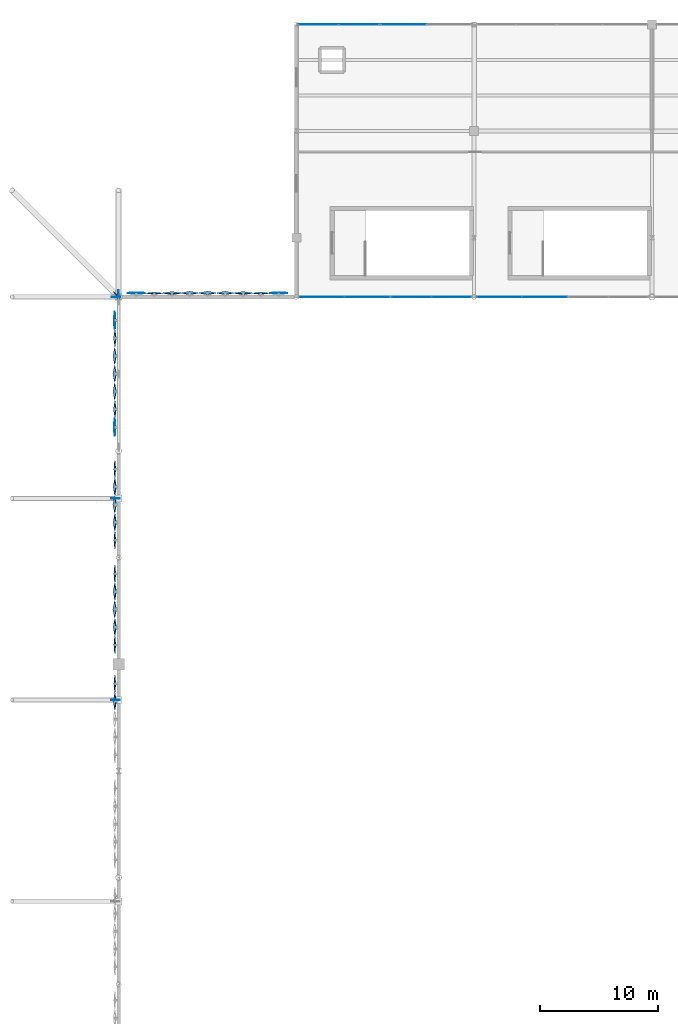
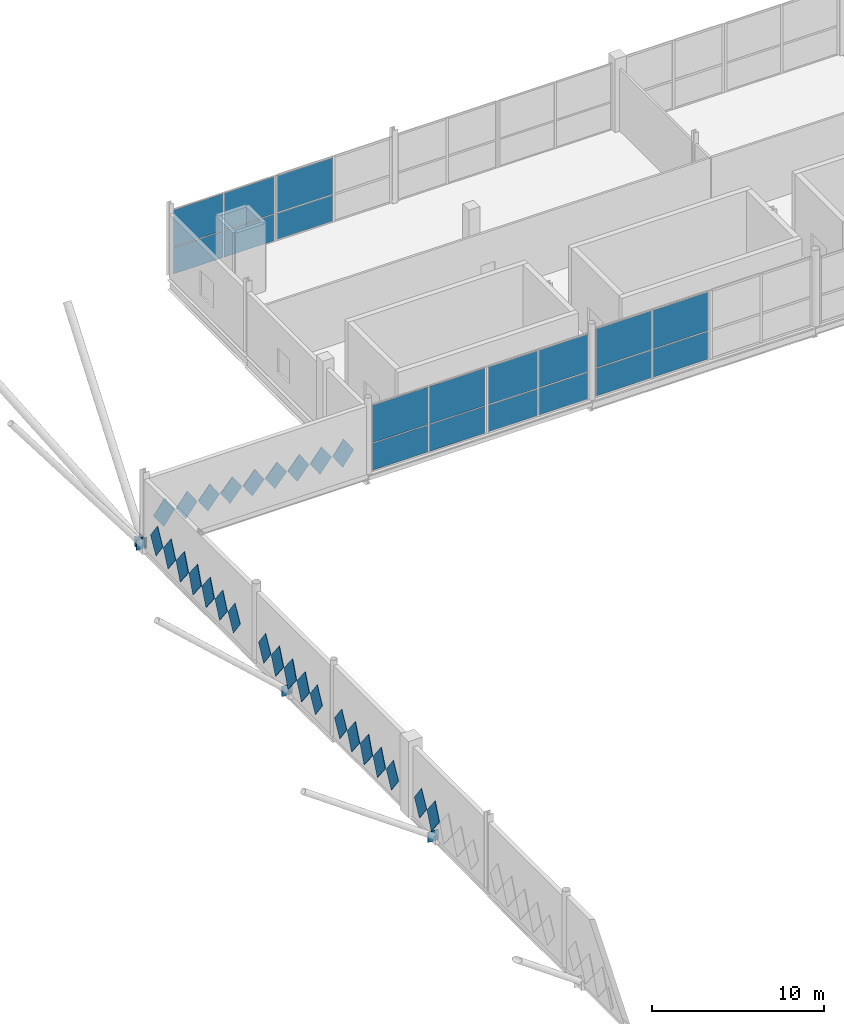
# One storey, part 73 of 119: 51 plates, 5 elements without a shape of their own.
"""IFC4 building model written with IfcOpenShell, lengths in metres."""

from ifc_helpers import new_model, si_unit, direction, frame, origin, origin_2d, place, context, subcontext, project, spatial, polyline, rectangle, outline, extrude, material, layer, layer_set, type_object, element, aggregate, save


model = new_model("IFC4")

# Units and contexts
model_context = context("Model", 3, precision=1e-05, world=origin(), true_north=direction((0.0, 1.0)))
body_context = subcontext(model_context, "Body", "Model", "MODEL_VIEW")
ifc_project = project(units=[si_unit("LENGTHUNIT", "METRE"), si_unit("AREAUNIT", "SQUARE_METRE"), si_unit("VOLUMEUNIT", "CUBIC_METRE"), si_unit("PLANEANGLEUNIT", "RADIAN"), si_unit("MASSUNIT", "GRAM", prefix="KILO")], contexts=[model_context])

# Site, building, storey
site_placement = place(None, origin())
site = spatial("IfcSite", under=ifc_project, at=site_placement, CompositionType="ELEMENT")
building_placement = place(site_placement, origin())
building = spatial("IfcBuilding", under=site, at=building_placement, Name="Qamarlyn Nura Convention Centre", CompositionType="ELEMENT")
storey_placement = place(building_placement, frame((0.0, 0.0, 5.39990234375)))
storey = spatial("IfcBuildingStorey", under=building, at=storey_placement, Name="L01", CompositionType="ELEMENT", Elevation=5.39990234375)

# Curtain wall, plates
ifc_material_1 = material(Name="Double-silver low-E insulated glass", Category="glass")
ifc_layer_1 = layer(ifc_material_1, 0.179931640625, Name="CW-UNIT-33")
ifc_layer_set_1 = layer_set([ifc_layer_1], Name="Double-silver low-E insulated glass")
curtain_wall_type_1 = type_object("IfcCurtainWallType", Name="CW-UNIT-33", PredefinedType="NOTDEFINED", material=ifc_layer_set_1)
curtain_wall_1_placement = place(storey_placement, origin())
curtain_wall_1 = element("IfcCurtainWall", 1, at=curtain_wall_1_placement, inside=storey, type_object=curtain_wall_type_1, Name="L01 unitised curtain wall NS-INT-1-1A", PredefinedType="NOTDEFINED")
ifc_layer_2 = layer(ifc_material_1, 0.028076171875, Name="CWP-VIS-28")
ifc_layer_set_2 = layer_set([ifc_layer_2], Name="Double-silver low-E insulated glass")
plate_type_1 = type_object("IfcPlateType", Name="CWP-VIS-28", PredefinedType="CURTAIN_PANEL", material=ifc_layer_set_2)
plate_1_placement = place(storey_placement, frame((28.07568359375, 103.0, 0.06494140625), z_axis=(0.0, 0.0, 1.0), x_axis=(-1.0, 0.0, 0.0)))
plate_1 = element("IfcPlate", 2, at=plate_1_placement, type_object=plate_type_1, Name="CW33 panel 1.1", PredefinedType="CURTAIN_PANEL", context=body_context, shape_type="SweptSolid", body=[
    extrude(rectangle(XDim=3.31201171875, YDim=0.028076171875, at=origin_2d()), origin(), (0.0, 0.0, 1.0), 1.886474609375),
])
plate_2_placement = place(storey_placement, frame((28.07568359375, 103.0, 2.0166015625), z_axis=(0.0, 0.0, 1.0), x_axis=(-1.0, 0.0, 0.0)))
plate_2 = element("IfcPlate", 3, at=plate_2_placement, type_object=plate_type_1, Name="CW33 panel 1.2", PredefinedType="CURTAIN_PANEL", context=body_context, shape_type="SweptSolid", body=[
    extrude(rectangle(XDim=3.31201171875, YDim=0.028076171875, at=origin_2d()), origin(), (0.0, 0.0, 1.0), 2.642578125),
])
plate_3_placement = place(storey_placement, frame((24.69873046875, 103.0, 0.06494140625), z_axis=(0.0, 0.0, 1.0), x_axis=(-1.0, 0.0, 0.0)))
plate_3 = element("IfcPlate", 4, at=plate_3_placement, type_object=plate_type_1, Name="CW33 panel 2.1", PredefinedType="CURTAIN_PANEL", context=body_context, shape_type="SweptSolid", body=[
    extrude(rectangle(XDim=3.31201171875, YDim=0.028076171875, at=origin_2d()), origin(), (0.0, 0.0, 1.0), 1.886474609375),
])
plate_4_placement = place(storey_placement, frame((24.69873046875, 103.0, 2.0166015625), z_axis=(0.0, 0.0, 1.0), x_axis=(-1.0, 0.0, 0.0)))
plate_4 = element("IfcPlate", 5, at=plate_4_placement, type_object=plate_type_1, Name="CW33 panel 2.2", PredefinedType="CURTAIN_PANEL", context=body_context, shape_type="SweptSolid", body=[
    extrude(rectangle(XDim=3.31201171875, YDim=0.028076171875, at=origin_2d()), origin(), (0.0, 0.0, 1.0), 2.642578125),
])
aggregate(curtain_wall_1, [plate_1, plate_2, plate_3, plate_4])

ifc_layer_3 = layer(ifc_material_1, 0.179931640625, Name="CW-UNIT-34")
ifc_layer_set_3 = layer_set([ifc_layer_3], Name="Double-silver low-E insulated glass")
curtain_wall_type_2 = type_object("IfcCurtainWallType", Name="CW-UNIT-34", PredefinedType="NOTDEFINED", material=ifc_layer_set_3)
curtain_wall_2_placement = place(storey_placement, origin())
curtain_wall_2 = element("IfcCurtainWall", 6, at=curtain_wall_2_placement, inside=storey, type_object=curtain_wall_type_2, Name="L01 unitised curtain wall NS-INT-1-1B", PredefinedType="NOTDEFINED")
plate_5_placement = place(storey_placement, frame((20.959228515625, 103.0, 0.06005859375), z_axis=(0.0, 0.0, 1.0), x_axis=(-1.0, 0.0, 0.0)))
plate_5 = element("IfcPlate", 7, at=plate_5_placement, type_object=plate_type_1, Name="CW34 panel 1.1", PredefinedType="CURTAIN_PANEL", context=body_context, shape_type="SweptSolid", body=[
    extrude(rectangle(XDim=3.75732421875, YDim=0.028076171875, at=origin_2d()), origin(), (0.0, 0.0, 1.0), 1.89404296875),
])
plate_6_placement = place(storey_placement, frame((20.959228515625, 103.0, 2.01416015625), z_axis=(0.0, 0.0, 1.0), x_axis=(-1.0, 0.0, 0.0)))
plate_6 = element("IfcPlate", 8, at=plate_6_placement, type_object=plate_type_1, Name="CW34 panel 1.2", PredefinedType="CURTAIN_PANEL", context=body_context, shape_type="SweptSolid", body=[
    extrude(rectangle(XDim=3.75732421875, YDim=0.028076171875, at=origin_2d()), origin(), (0.0, 0.0, 1.0), 2.64990234375),
])
plate_7_placement = place(storey_placement, frame((17.141845703125, 103.0, 0.06005859375), z_axis=(0.0, 0.0, 1.0), x_axis=(-1.0, 0.0, 0.0)))
plate_7 = element("IfcPlate", 9, at=plate_7_placement, type_object=plate_type_1, Name="CW34 panel 2.1", PredefinedType="CURTAIN_PANEL", context=body_context, shape_type="SweptSolid", body=[
    extrude(rectangle(XDim=3.75732421875, YDim=0.028076171875, at=origin_2d()), origin(), (0.0, 0.0, 1.0), 1.89404296875),
])
plate_8_placement = place(storey_placement, frame((17.141845703125, 103.0, 2.01416015625), z_axis=(0.0, 0.0, 1.0), x_axis=(-1.0, 0.0, 0.0)))
plate_8 = element("IfcPlate", 10, at=plate_8_placement, type_object=plate_type_1, Name="CW34 panel 2.2", PredefinedType="CURTAIN_PANEL", context=body_context, shape_type="SweptSolid", body=[
    extrude(rectangle(XDim=3.75732421875, YDim=0.028076171875, at=origin_2d()), origin(), (0.0, 0.0, 1.0), 2.64990234375),
])
aggregate(curtain_wall_2, [plate_5, plate_6, plate_7, plate_8])

ifc_layer_4 = layer(ifc_material_1, 0.179931640625, Name="CW-UNIT-43")
ifc_layer_set_4 = layer_set([ifc_layer_4], Name="Double-silver low-E insulated glass")
curtain_wall_type_3 = type_object("IfcCurtainWallType", Name="CW-UNIT-43", PredefinedType="NOTDEFINED", material=ifc_layer_set_4)
curtain_wall_3_placement = place(storey_placement, origin())
curtain_wall_3 = element("IfcCurtainWall", 11, at=curtain_wall_3_placement, inside=storey, type_object=curtain_wall_type_3, Name="L01 unitised curtain wall NS-N1-1A", PredefinedType="NOTDEFINED")
plate_9_placement = place(storey_placement, frame((16.880126953125, 126.0, 0.06005859375), z_axis=(0.0, 0.0, 1.0), x_axis=(1.0, 0.0, 0.0)))
plate_9 = element("IfcPlate", 12, at=plate_9_placement, type_object=plate_type_1, Name="CW43 panel 1.1", PredefinedType="CURTAIN_PANEL", context=body_context, shape_type="SweptSolid", body=[
    extrude(rectangle(XDim=3.335205078125, YDim=0.028076171875, at=origin_2d()), origin(), (0.0, 0.0, 1.0), 1.863037109375),
])
plate_10_placement = place(storey_placement, frame((16.880126953125, 126.0, 1.983154296875), z_axis=(0.0, 0.0, 1.0), x_axis=(1.0, 0.0, 0.0)))
plate_10 = element("IfcPlate", 13, at=plate_10_placement, type_object=plate_type_1, Name="CW43 panel 1.2", PredefinedType="CURTAIN_PANEL", context=body_context, shape_type="SweptSolid", body=[
    extrude(rectangle(XDim=3.335205078125, YDim=0.028076171875, at=origin_2d()), origin(), (0.0, 0.0, 1.0), 2.60791015625),
])
plate_11_placement = place(storey_placement, frame((20.275390625, 126.0, 0.06005859375), z_axis=(0.0, 0.0, 1.0), x_axis=(1.0, 0.0, 0.0)))
plate_11 = element("IfcPlate", 14, at=plate_11_placement, type_object=plate_type_1, Name="CW43 panel 2.1", PredefinedType="CURTAIN_PANEL", context=body_context, shape_type="SweptSolid", body=[
    extrude(rectangle(XDim=3.335205078125, YDim=0.028076171875, at=origin_2d()), origin(), (0.0, 0.0, 1.0), 1.863037109375),
])
plate_12_placement = place(storey_placement, frame((20.275390625, 126.0, 1.983154296875), z_axis=(0.0, 0.0, 1.0), x_axis=(1.0, 0.0, 0.0)))
plate_12 = element("IfcPlate", 15, at=plate_12_placement, type_object=plate_type_1, Name="CW43 panel 2.2", PredefinedType="CURTAIN_PANEL", context=body_context, shape_type="SweptSolid", body=[
    extrude(rectangle(XDim=3.335205078125, YDim=0.028076171875, at=origin_2d()), origin(), (0.0, 0.0, 1.0), 2.60791015625),
])
aggregate(curtain_wall_3, [plate_9, plate_10, plate_11, plate_12])

ifc_layer_5 = layer(ifc_material_1, 0.179931640625, Name="CW-UNIT-36")
ifc_layer_set_5 = layer_set([ifc_layer_5], Name="Double-silver low-E insulated glass")
curtain_wall_type_4 = type_object("IfcCurtainWallType", Name="CW-UNIT-36", PredefinedType="NOTDEFINED", material=ifc_layer_set_5)
curtain_wall_4_placement = place(storey_placement, origin())
curtain_wall_4 = element("IfcCurtainWall", 16, at=curtain_wall_4_placement, inside=storey, type_object=curtain_wall_type_4, Name="L01 unitised curtain wall NS-INT-2-1B", PredefinedType="NOTDEFINED")
ifc_layer_6 = layer(ifc_material_1, 0.031982421875, Name="CWP-VIS-32")
ifc_layer_set_6 = layer_set([ifc_layer_6], Name="Double-silver low-E insulated glass")
plate_type_2 = type_object("IfcPlateType", Name="CWP-VIS-32", PredefinedType="CURTAIN_PANEL", material=ifc_layer_set_6)
plate_13_placement = place(storey_placement, frame((35.937744140625, 103.0, 0.065185546875), z_axis=(0.0, 0.0, 1.0), x_axis=(-1.0, 0.0, 0.0)))
plate_13 = element("IfcPlate", 17, at=plate_13_placement, type_object=plate_type_2, Name="CW36 panel 1.1", PredefinedType="CURTAIN_PANEL", context=body_context, shape_type="SweptSolid", body=[
    extrude(rectangle(XDim=3.736328125, YDim=0.031982421875, at=origin_2d()), origin(), (0.0, 0.0, 1.0), 1.95654296875),
])
plate_14_placement = place(storey_placement, frame((35.937744140625, 103.0, 2.08642578125), z_axis=(0.0, 0.0, 1.0), x_axis=(-1.0, 0.0, 0.0)))
plate_14 = element("IfcPlate", 18, at=plate_14_placement, type_object=plate_type_2, Name="CW36 panel 1.2", PredefinedType="CURTAIN_PANEL", context=body_context, shape_type="SweptSolid", body=[
    extrude(rectangle(XDim=3.736328125, YDim=0.031982421875, at=origin_2d()), origin(), (0.0, 0.0, 1.0), 2.738525390625),
])
plate_15_placement = place(storey_placement, frame((32.136474609375, 103.0, 0.065185546875), z_axis=(0.0, 0.0, 1.0), x_axis=(-1.0, 0.0, 0.0)))
plate_15 = element("IfcPlate", 19, at=plate_15_placement, type_object=plate_type_2, Name="CW36 panel 2.1", PredefinedType="CURTAIN_PANEL", context=body_context, shape_type="SweptSolid", body=[
    extrude(rectangle(XDim=3.736328125, YDim=0.031982421875, at=origin_2d()), origin(), (0.0, 0.0, 1.0), 1.95654296875),
])
plate_16_placement = place(storey_placement, frame((32.136474609375, 103.0, 2.08642578125), z_axis=(0.0, 0.0, 1.0), x_axis=(-1.0, 0.0, 0.0)))
plate_16 = element("IfcPlate", 20, at=plate_16_placement, type_object=plate_type_2, Name="CW36 panel 2.2", PredefinedType="CURTAIN_PANEL", context=body_context, shape_type="SweptSolid", body=[
    extrude(rectangle(XDim=3.736328125, YDim=0.031982421875, at=origin_2d()), origin(), (0.0, 0.0, 1.0), 2.738525390625),
])
aggregate(curtain_wall_4, [plate_13, plate_14, plate_15, plate_16])

ifc_layer_7 = layer(ifc_material_1, 0.179931640625, Name="CW-UNIT-44")
ifc_layer_set_7 = layer_set([ifc_layer_7], Name="Double-silver low-E insulated glass")
curtain_wall_type_5 = type_object("IfcCurtainWallType", Name="CW-UNIT-44", PredefinedType="NOTDEFINED", material=ifc_layer_set_7)
curtain_wall_5_placement = place(storey_placement, origin())
curtain_wall_5 = element("IfcCurtainWall", 21, at=curtain_wall_5_placement, inside=storey, type_object=curtain_wall_type_5, Name="L01 unitised curtain wall NS-N1-1B", PredefinedType="NOTDEFINED")
plate_17_placement = place(storey_placement, frame((24.032958984375, 126.0, 0.0703125), z_axis=(0.0, 0.0, 1.0), x_axis=(1.0, 0.0, 0.0)))
plate_17 = element("IfcPlate", 22, at=plate_17_placement, type_object=plate_type_2, Name="CW44 panel 1.1", PredefinedType="CURTAIN_PANEL", context=body_context, shape_type="SweptSolid", body=[
    extrude(rectangle(XDim=3.760009765625, YDim=0.031982421875, at=origin_2d()), origin(), (0.0, 0.0, 1.0), 1.847900390625),
])
plate_18_placement = place(storey_placement, frame((24.032958984375, 126.0, 1.98828125), z_axis=(0.0, 0.0, 1.0), x_axis=(1.0, 0.0, 0.0)))
plate_18 = element("IfcPlate", 23, at=plate_18_placement, type_object=plate_type_2, Name="CW44 panel 1.2", PredefinedType="CURTAIN_PANEL", context=body_context, shape_type="SweptSolid", body=[
    extrude(rectangle(XDim=3.760009765625, YDim=0.031982421875, at=origin_2d()), origin(), (0.0, 0.0, 1.0), 2.593017578125),
])
aggregate(curtain_wall_5, [plate_17, plate_18])

# Plates
ifc_material_2 = material(Name="White high-albedo PVDF aluminium composite sheet", Category="aluminium")
ifc_layer_8 = layer(ifc_material_2, 0.02001953125, Name="FP-DIAM-02")
ifc_layer_set_8 = layer_set([ifc_layer_8], Name="White high-albedo PVDF aluminium composite sheet")
plate_type_3 = type_object("IfcPlateType", Name="FP-DIAM-02", PredefinedType="SHEET", material=ifc_layer_set_8)
for number, where, z_axis, x_axis, name in (
    (24, (-0.31005859375, 92.020751953125, 1.7001953125), (-0.998638653892, 0.0, 0.052161661713), (0.0, -1.0, 0.0), "L01 pivoted white diamond facade tile 0089"),
    (25, (-0.31005859375, 101.020751953125, 1.7001953125), (-0.998638653892, 0.0, 0.052161661713), (0.0, -1.0, 0.0), "L01 pivoted white diamond facade tile 0095"),
    (26, (1.50048828125, 103.31005859375, 1.7001953125), (0.0, 0.998922518042, 0.046409082599), (-1.0, 0.0, 0.0), "L01 pivoted white diamond facade tile 0132"),
    (27, (13.500732421875, 103.31005859375, 1.7001953125), (0.0, 0.998922518042, 0.046409082599), (-1.0, 0.0, 0.0), "L01 pivoted white diamond facade tile 0140"),
):
    element("IfcPlate", number, at=place(storey_placement, frame(where, z_axis=z_axis, x_axis=x_axis)), inside=storey, type_object=plate_type_3, Name=name, PredefinedType="SHEET", context=body_context, shape_type="SweptSolid", body=[
        extrude(outline(polyline([(-0.719970703125, 0.0), (0.0, -1.050048828125), (0.719970703125, 0.0), (0.0, 1.050048828125), (-0.719970703125, 0.0)])), origin(), (0.0, 0.0, 1.0), 0.02001953125),
    ])
ifc_layer_9 = layer(ifc_material_2, 0.02392578125, Name="FP-DIAM-03")
ifc_layer_set_9 = layer_set([ifc_layer_9], Name="White high-albedo PVDF aluminium composite sheet")
plate_type_4 = type_object("IfcPlateType", Name="FP-DIAM-03", PredefinedType="SHEET", material=ifc_layer_set_9)
for number, where, z_axis, x_axis, name in (
    (28, (-0.31005859375, 70.368896484375, 1.7001953125), (-0.998059468659, 0.0, 0.062267945373), (0.0, -1.0, 0.0), "L01 pivoted white diamond facade tile 0078"),
    (29, (-0.31005859375, 73.635986328125, 1.7001953125), (-0.998059468659, 0.0, 0.062267945373), (0.0, -1.0, 0.0), "L01 pivoted white diamond facade tile 0079"),
    (30, (-0.31005859375, 79.635986328125, 1.7001953125), (-0.998059468659, 0.0, 0.062267945373), (0.0, -1.0, 0.0), "L01 pivoted white diamond facade tile 0083"),
    (31, (-0.31005859375, 82.474609375, 1.7001953125), (-0.998059468659, 0.0, 0.062267945373), (0.0, -1.0, 0.0), "L01 pivoted white diamond facade tile 0084"),
    (32, (-0.31005859375, 88.474609375, 1.7001953125), (-0.998059468659, 0.0, 0.062267945373), (0.0, -1.0, 0.0), "L01 pivoted white diamond facade tile 0088"),
):
    element("IfcPlate", number, at=place(storey_placement, frame(where, z_axis=z_axis, x_axis=x_axis)), inside=storey, type_object=plate_type_4, Name=name, PredefinedType="SHEET", context=body_context, shape_type="SweptSolid", body=[
        extrude(outline(polyline([(-0.719970703125, 0.0), (0.0, -1.050048828125), (0.719970703125, 0.0), (0.0, 1.050048828125), (-0.719970703125, 0.0)])), origin(), (0.0, 0.0, 1.0), 0.02392578125),
    ])
ifc_layer_10 = layer(ifc_material_2, 0.02587890625, Name="FP-DIAM-04")
ifc_layer_set_10 = layer_set([ifc_layer_10], Name="White high-albedo PVDF aluminium composite sheet")
plate_type_5 = type_object("IfcPlateType", Name="FP-DIAM-04", PredefinedType="SHEET", material=ifc_layer_set_10)
for number, where, z_axis, x_axis, name in (
    (33, (3.00048828125, 103.31005859375, 1.7001953125), (0.0, 0.996419457129, 0.084547415428), (-1.0, 0.0, 0.0), "L01 pivoted white diamond facade tile 0133"),
    (34, (12.000732421875, 103.31005859375, 1.7001953125), (0.0, 0.996419457129, 0.084547415428), (-1.0, 0.0, 0.0), "L01 pivoted white diamond facade tile 0139"),
):
    element("IfcPlate", number, at=place(storey_placement, frame(where, z_axis=z_axis, x_axis=x_axis)), inside=storey, type_object=plate_type_5, Name=name, PredefinedType="SHEET", context=body_context, shape_type="SweptSolid", body=[
        extrude(outline(polyline([(-0.719970703125, 0.0), (0.0, -1.050048828125), (0.719970703125, 0.0), (0.0, 1.050048828125), (-0.719970703125, 0.0)])), origin(), (0.0, 0.0, 1.0), 0.02587890625),
    ])
ifc_layer_11 = layer(ifc_material_2, 0.030029296875, Name="FP-DIAM-05")
ifc_layer_set_11 = layer_set([ifc_layer_11], Name="White high-albedo PVDF aluminium composite sheet")
plate_type_6 = type_object("IfcPlateType", Name="FP-DIAM-05", PredefinedType="SHEET", material=ifc_layer_set_11)
for number, where, z_axis, x_axis, name in (
    (35, (-0.31005859375, 93.520751953125, 1.7001953125), (-0.995090178471, 0.0, 0.098972403781), (0.0, -1.0, 0.0), "L01 pivoted white diamond facade tile 0090"),
    (36, (-0.31005859375, 99.520751953125, 1.7001953125), (-0.995090178471, 0.0, 0.098972403781), (0.0, -1.0, 0.0), "L01 pivoted white diamond facade tile 0094"),
):
    element("IfcPlate", number, at=place(storey_placement, frame(where, z_axis=z_axis, x_axis=x_axis)), inside=storey, type_object=plate_type_6, Name=name, PredefinedType="SHEET", context=body_context, shape_type="SweptSolid", body=[
        extrude(outline(polyline([(-0.719970703125, 0.0), (0.0, -1.050048828125), (0.719970703125, 0.0), (0.0, 1.050048828125), (-0.719970703125, 0.0)])), origin(), (0.0, 0.0, 1.0), 0.030029296875),
    ])
ifc_layer_12 = layer(ifc_material_2, 0.0380859375, Name="FP-DIAM-07")
ifc_layer_set_12 = layer_set([ifc_layer_12], Name="White high-albedo PVDF aluminium composite sheet")
plate_type_7 = type_object("IfcPlateType", Name="FP-DIAM-07", PredefinedType="SHEET", material=ifc_layer_set_12)
for number, where, z_axis, x_axis, name in (
    (37, (-0.31005859375, 68.868896484375, 1.7001953125), (-0.99271534578, 0.0, 0.120483369194), (0.0, -1.0, 0.0), "L01 pivoted white diamond facade tile 0077"),
    (38, (-0.31005859375, 75.135986328125, 1.7001953125), (-0.99271534578, 0.0, 0.120483369194), (0.0, -1.0, 0.0), "L01 pivoted white diamond facade tile 0080"),
    (39, (-0.31005859375, 78.135986328125, 1.7001953125), (-0.99271534578, 0.0, 0.120483369194), (0.0, -1.0, 0.0), "L01 pivoted white diamond facade tile 0082"),
    (40, (-0.31005859375, 83.974609375, 1.7001953125), (-0.99271534578, 0.0, 0.120483369194), (0.0, -1.0, 0.0), "L01 pivoted white diamond facade tile 0085"),
    (41, (-0.31005859375, 86.974609375, 1.7001953125), (-0.99271534578, 0.0, 0.120483369194), (0.0, -1.0, 0.0), "L01 pivoted white diamond facade tile 0087"),
    (42, (4.500732421875, 103.31005859375, 1.7001953125), (0.0, 0.993312448482, 0.115457263478), (-1.0, 0.0, 0.0), "L01 pivoted white diamond facade tile 0134"),
    (43, (10.500732421875, 103.31005859375, 1.7001953125), (0.0, 0.993312448482, 0.115457263478), (-1.0, 0.0, 0.0), "L01 pivoted white diamond facade tile 0138"),
):
    element("IfcPlate", number, at=place(storey_placement, frame(where, z_axis=z_axis, x_axis=x_axis)), inside=storey, type_object=plate_type_7, Name=name, PredefinedType="SHEET", context=body_context, shape_type="SweptSolid", body=[
        extrude(outline(polyline([(-0.719970703125, 0.0), (0.0, -1.050048828125), (0.719970703125, 0.0), (0.0, 1.050048828125), (-0.719970703125, 0.0)])), origin(), (0.0, 0.0, 1.0), 0.0380859375),
    ])
ifc_layer_13 = layer(ifc_material_2, 0.0439453125, Name="FP-DIAM-08")
ifc_layer_set_13 = layer_set([ifc_layer_13], Name="White high-albedo PVDF aluminium composite sheet")
plate_type_8 = type_object("IfcPlateType", Name="FP-DIAM-08", PredefinedType="SHEET", material=ifc_layer_set_13)
for number, where, z_axis, x_axis, name in (
    (44, (-0.31005859375, 76.635986328125, 1.7001953125), (-0.989776230908, 0.0, 0.142628933706), (0.0, -1.0, 0.0), "L01 pivoted white diamond facade tile 0081"),
    (45, (-0.31005859375, 85.474609375, 1.7001953125), (-0.989776230908, 0.0, 0.142628933706), (0.0, -1.0, 0.0), "L01 pivoted white diamond facade tile 0086"),
    (46, (-0.31005859375, 95.020751953125, 1.7001953125), (-0.9913534953, 0.0, 0.131218319443), (0.0, -1.0, 0.0), "L01 pivoted white diamond facade tile 0091"),
    (47, (-0.31005859375, 96.520751953125, 1.7001953125), (-0.989776230908, 0.0, 0.142628933706), (0.0, -1.0, 0.0), "L01 pivoted white diamond facade tile 0092"),
    (48, (-0.31005859375, 98.020751953125, 1.7001953125), (-0.9913534953, 0.0, 0.131218319443), (0.0, -1.0, 0.0), "L01 pivoted white diamond facade tile 0093"),
    (49, (6.000732421875, 103.31005859375, 1.7001953125), (0.0, 0.990747840471, 0.135715572434), (-1.0, 0.0, 0.0), "L01 pivoted white diamond facade tile 0135"),
    (50, (7.500732421875, 103.31005859375, 1.7001953125), (0.0, 0.989776230908, 0.142628933706), (-1.0, 0.0, 0.0), "L01 pivoted white diamond facade tile 0136"),
    (51, (9.000732421875, 103.31005859375, 1.7001953125), (0.0, 0.990747840471, 0.135715572434), (-1.0, 0.0, 0.0), "L01 pivoted white diamond facade tile 0137"),
):
    element("IfcPlate", number, at=place(storey_placement, frame(where, z_axis=z_axis, x_axis=x_axis)), inside=storey, type_object=plate_type_8, Name=name, PredefinedType="SHEET", context=body_context, shape_type="SweptSolid", body=[
        extrude(outline(polyline([(-0.719970703125, 0.0), (0.0, -1.050048828125), (0.719970703125, 0.0), (0.0, 1.050048828125), (-0.719970703125, 0.0)])), origin(), (0.0, 0.0, 1.0), 0.0439453125),
    ])
ifc_material_3 = material(Name="Structural steel ASTM A572 Grade 50", Category="steel")
ifc_layer_14 = layer(ifc_material_3, 0.035888671875, Name="GP-SN1")
ifc_layer_set_14 = layer_set([ifc_layer_14], Name="Structural steel ASTM A572 Grade 50")
plate_type_9 = type_object("IfcPlateType", Name="GP-SN1", PredefinedType="USERDEFINED", material=ifc_layer_set_14)
plate_19_placement = place(storey_placement, frame((-0.2509765625, 86.0, -0.13037109375), z_axis=(0.0, 0.0, 1.0), x_axis=(1.0, 0.0, 0.0)))
element("IfcPlate", 52, at=plate_19_placement, inside=storey, type_object=plate_type_9, Name="Tree strut gusset plate W-6-B", ObjectType="GUSSET PLATE", PredefinedType="USERDEFINED", context=body_context, shape_type="SweptSolid", body=[
    extrude(rectangle(XDim=0.719970703125, YDim=0.035888671875, at=origin_2d()), origin(), (0.0, 0.0, 1.0), 0.719970703125),
])
ifc_layer_15 = layer(ifc_material_3, 0.0419921875, Name="GP-SN2")
ifc_layer_set_15 = layer_set([ifc_layer_15], Name="Structural steel ASTM A572 Grade 50")
plate_type_10 = type_object("IfcPlateType", Name="GP-SN2", PredefinedType="USERDEFINED", material=ifc_layer_set_15)
for number, where, z_axis, x_axis, name in (
    (53, (-0.205078125, 103.0, -0.0888671875), (0.0, 0.0, 1.0), (1.0, 0.0, 0.0), "Tree strut gusset plate W-7-B"),
    (54, (0.0, 103.205078125, -0.0888671875), (0.0, 0.0, 1.0), (0.0, 1.0, 0.0), "Tree strut gusset plate N-2-B"),
):
    element("IfcPlate", number, at=place(storey_placement, frame(where, z_axis=z_axis, x_axis=x_axis)), inside=storey, type_object=plate_type_10, Name=name, ObjectType="GUSSET PLATE", PredefinedType="USERDEFINED", context=body_context, shape_type="SweptSolid", body=[
        extrude(rectangle(XDim=0.719970703125, YDim=0.0419921875, at=origin_2d()), origin(), (0.0, 0.0, 1.0), 0.719970703125),
    ])
ifc_layer_16 = layer(ifc_material_3, 0.048095703125, Name="GP-SN3")
ifc_layer_set_16 = layer_set([ifc_layer_16], Name="Structural steel ASTM A572 Grade 50")
plate_type_11 = type_object("IfcPlateType", Name="GP-SN3", PredefinedType="USERDEFINED", material=ifc_layer_set_16)
for number, where, z_axis, x_axis, name in (
    (55, (-0.277099609375, 69.0, -0.16259765625), (0.0, 0.0, 1.0), (1.0, 0.0, 0.0), "Tree strut gusset plate W-5-B"),
    (56, (-0.159423828125, 103.159423828125, -0.10546875), (0.0, 0.0, 1.0), (-0.707106781187, 0.707106781187, 0.0), "Tree strut gusset plate NW-CRN-B"),
):
    element("IfcPlate", number, at=place(storey_placement, frame(where, z_axis=z_axis, x_axis=x_axis)), inside=storey, type_object=plate_type_11, Name=name, ObjectType="GUSSET PLATE", PredefinedType="USERDEFINED", context=body_context, shape_type="SweptSolid", body=[
        extrude(rectangle(XDim=0.719970703125, YDim=0.048095703125, at=origin_2d()), origin(), (0.0, 0.0, 1.0), 0.719970703125),
    ])

save(model, "model.ifc")
